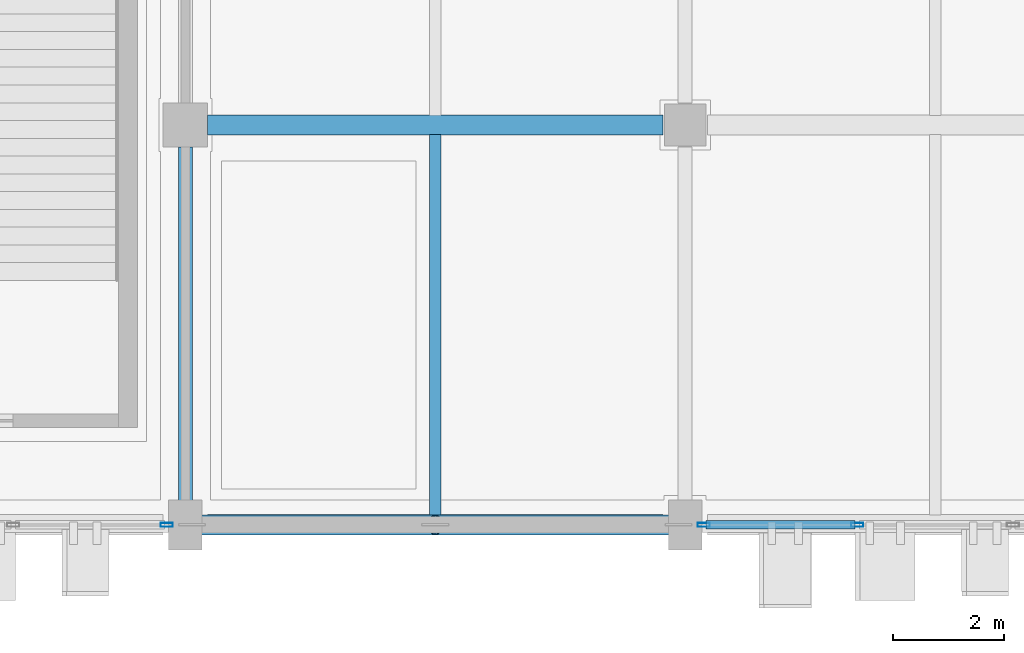
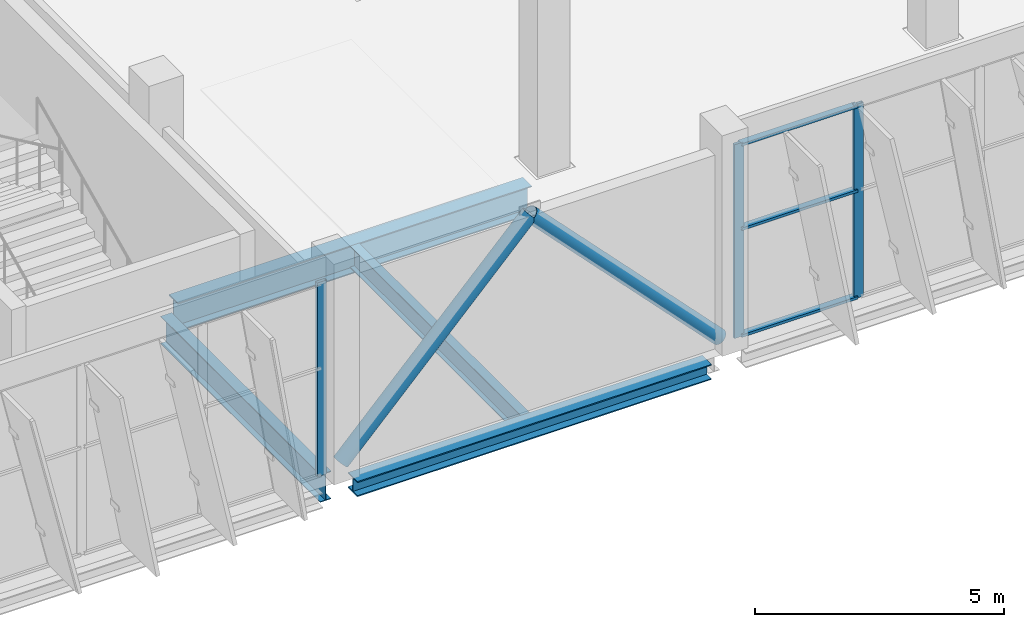
# One storey, part 33 of 137: 8 members, 4 beams, 2 elements without a shape of their own.
"""IFC4 building model written with IfcOpenShell, lengths in metres."""

from ifc_helpers import new_model, si_unit, direction, frame, origin, origin_2d, place, context, subcontext, project, spatial, hollow_rectangle, hollow_circle, i_section, extrude, material, layer, layer_set, material_profile, profile_set, type_object, element, aggregate, save


model = new_model("IFC4")

# Units and contexts
model_context = context("Model", 3, precision=1e-05, world=origin(), true_north=direction((0.0, 1.0)))
body_context = subcontext(model_context, "Body", "Model", "MODEL_VIEW")
ifc_project = project(units=[si_unit("LENGTHUNIT", "METRE"), si_unit("AREAUNIT", "SQUARE_METRE"), si_unit("VOLUMEUNIT", "CUBIC_METRE"), si_unit("PLANEANGLEUNIT", "RADIAN"), si_unit("MASSUNIT", "GRAM", prefix="KILO")], contexts=[model_context])

# Site, building, storey
site_placement = place(None, origin())
site = spatial("IfcSite", under=ifc_project, at=site_placement, CompositionType="ELEMENT")
building_placement = place(site_placement, origin())
building = spatial("IfcBuilding", under=site, at=building_placement, Name="Celestram Park Convention Centre", CompositionType="ELEMENT")
storey_placement = place(building_placement, origin())
storey = spatial("IfcBuildingStorey", under=building, at=storey_placement, Name="L00", CompositionType="ELEMENT", Elevation=0.0)

# Curtain wall, members
ifc_material_1 = material(Name="Anodised Aluminium Alloy 6063-T6", Category="aluminium")
ifc_layer = layer(ifc_material_1, 0.179931640625)
ifc_layer_set = layer_set([ifc_layer], Name="Anodised Aluminium Alloy 6063-T6")
curtain_wall_type = type_object("IfcCurtainWallType", Name="ARC-CW-840X475", PredefinedType="NOTDEFINED", material=ifc_layer_set)
curtain_wall_1_placement = place(storey_placement, origin())
curtain_wall_1 = element("IfcCurtainWall", 1, at=curtain_wall_1_placement, inside=storey, type_object=curtain_wall_type, Name="Unitised curtain wall CU-L00-030", PredefinedType="NOTDEFINED")
ifc_material_profile_1 = material_profile(ifc_material_1, hollow_rectangle(XDim=0.074951171875, YDim=0.219970703125, WallThickness=0.00390625, at=origin_2d()), Name="ALU75X220X4")
ifc_profile_set_1 = profile_set([ifc_material_profile_1], Name="Anodised Aluminium Alloy 6063-T6")
member_type_1 = type_object("IfcMemberType", Name="ARC-CWM-180", PredefinedType="MULLION", material=ifc_profile_set_1)
member_1_placement = place(storey_placement, frame((174.099365234375, 0.0, 0.0), z_axis=(0.0, 0.0, 1.0), x_axis=(0.0, -1.0, 0.0)))
member_1 = element("IfcMember", 2, at=member_1_placement, type_object=member_type_1, Name="CW-84X47 mullion 3", PredefinedType="MULLION", context=body_context, shape_type="SweptSolid", body=[
    extrude(hollow_rectangle(XDim=0.074951171875, YDim=0.219970703125, WallThickness=0.00390625, at=origin_2d()), origin(), (0.0, 0.0, 1.0), 4.7470703125),
])
member_2_placement = place(storey_placement, frame((171.33544921875, 0.0, 0.0), z_axis=(0.0, 0.0, 1.0), x_axis=(0.0, -1.0, 0.0)))
member_2 = element("IfcMember", 3, at=member_2_placement, type_object=member_type_1, Name="CW-84X47 mullion 4", PredefinedType="MULLION", context=body_context, shape_type="SweptSolid", body=[
    extrude(hollow_rectangle(XDim=0.074951171875, YDim=0.219970703125, WallThickness=0.00390625, at=origin_2d()), origin(), (0.0, 0.0, 1.0), 4.7470703125),
])

# Curtain wall, member
curtain_wall_2_placement = place(storey_placement, origin())
curtain_wall_2 = element("IfcCurtainWall", 4, at=curtain_wall_2_placement, inside=storey, type_object=curtain_wall_type, Name="Unitised curtain wall CU-L00-031", PredefinedType="NOTDEFINED")
member_3_placement = place(storey_placement, frame((161.66455078125, 0.0, 0.0), z_axis=(0.0, 0.0, 1.0), x_axis=(0.0, -1.0, 0.0)))
member_3 = element("IfcMember", 5, at=member_3_placement, type_object=member_type_1, Name="CW-84X47 mullion 1", PredefinedType="MULLION", context=body_context, shape_type="SweptSolid", body=[
    extrude(hollow_rectangle(XDim=0.074951171875, YDim=0.219970703125, WallThickness=0.00390625, at=origin_2d()), origin(), (0.0, 0.0, 1.0), 4.7470703125),
])
aggregate(curtain_wall_2, [member_3])

# Member
ifc_material_profile_2 = material_profile(ifc_material_1, hollow_rectangle(XDim=0.14990234375, YDim=0.06494140625, WallThickness=0.0029296875, at=origin_2d()), Name="ALU150X65X3")
ifc_profile_set_2 = profile_set([ifc_material_profile_2], Name="Anodised Aluminium Alloy 6063-T6")
member_type_2 = type_object("IfcMemberType", Name="ARC-CWT-150", PredefinedType="USERDEFINED", material=ifc_profile_set_2)
member_4_placement = place(storey_placement, frame((174.061767578125, 0.0, 0.032470703125), z_axis=(-1.0, 0.0, 0.0), x_axis=(0.0, -1.0, 0.0)))
member_4 = element("IfcMember", 6, at=member_4_placement, type_object=member_type_2, Name="CW-84X47 transom 3.1", ObjectType="TRANSOM", PredefinedType="USERDEFINED", context=body_context, shape_type="SweptSolid", body=[
    extrude(hollow_rectangle(XDim=0.14990234375, YDim=0.06494140625, WallThickness=0.0029296875, at=origin_2d()), origin(), (0.0, 0.0, 1.0), 2.688720703125),
])

member_5_placement = place(storey_placement, frame((174.061767578125, 0.0, 2.64990234375), z_axis=(-1.0, 0.0, 0.0), x_axis=(0.0, -1.0, 0.0)))
member_5 = element("IfcMember", 7, at=member_5_placement, type_object=member_type_2, Name="CW-84X47 transom 3.2", ObjectType="TRANSOM", PredefinedType="USERDEFINED", context=body_context, shape_type="SweptSolid", body=[
    extrude(hollow_rectangle(XDim=0.14990234375, YDim=0.06494140625, WallThickness=0.0029296875, at=origin_2d()), origin(), (0.0, 0.0, 1.0), 2.688720703125),
])

member_6_placement = place(storey_placement, frame((174.061767578125, 0.0, 4.714599609375), z_axis=(-1.0, 0.0, 0.0), x_axis=(0.0, -1.0, 0.0)))
member_6 = element("IfcMember", 8, at=member_6_placement, type_object=member_type_2, Name="CW-84X47 transom 3.3", ObjectType="TRANSOM", PredefinedType="USERDEFINED", context=body_context, shape_type="SweptSolid", body=[
    extrude(hollow_rectangle(XDim=0.14990234375, YDim=0.06494140625, WallThickness=0.0029296875, at=origin_2d()), origin(), (0.0, 0.0, 1.0), 2.688720703125),
])

aggregate(curtain_wall_1, [member_1, member_2, member_4, member_5, member_6])

# Beams
ifc_material_2 = material(Name="Steel ASTM A992 Grade 50", Category="steel")
ifc_material_profile_3 = material_profile(ifc_material_2, i_section(OverallWidth=0.35595703125, OverallDepth=0.696044921875, WebThickness=0.015380859375, FlangeThickness=0.02490234375, at=origin_2d()), Name="W27X146")
ifc_profile_set_3 = profile_set([ifc_material_profile_3], Name="Steel ASTM A992 Grade 50")
beam_type_1 = type_object("IfcBeamType", Name="STR-BM-W27X146", PredefinedType="BEAM", material=ifc_profile_set_3)
beam_1_placement = place(storey_placement, frame((162.39794921875, 7.199951171875, -0.66796875), z_axis=(1.0, 0.0, 0.0), x_axis=(0.0, 1.0, 0.0)))
element("IfcBeam", 9, at=beam_1_placement, inside=storey, type_object=beam_type_1, Name="Primary X-girder BG-L00-0719", PredefinedType="BEAM", context=body_context, shape_type="SweptSolid", body=[
    extrude(i_section(OverallWidth=0.35595703125, OverallDepth=0.696044921875, WebThickness=0.015380859375, FlangeThickness=0.02490234375, at=origin_2d()), origin(), (0.0, 0.0, 1.0), 8.2041015625),
])
ifc_material_profile_4 = material_profile(ifc_material_2, i_section(OverallWidth=0.25390625, OverallDepth=0.68310546875, WebThickness=0.012451171875, FlangeThickness=0.01904296875, at=origin_2d()), Name="W27X94")
ifc_profile_set_4 = profile_set([ifc_material_profile_4], Name="Steel ASTM A992 Grade 50")
beam_type_2 = type_object("IfcBeamType", Name="STR-BM-W27X94", PredefinedType="BEAM", material=ifc_profile_set_4)
beam_2_placement = place(storey_placement, frame((162.0, 0.39794921875, -0.66162109375), z_axis=(0.0, 1.0, 0.0), x_axis=(-1.0, 0.0, 0.0)))
element("IfcBeam", 10, at=beam_2_placement, inside=storey, type_object=beam_type_2, Name="Primary Y-girder BG-L00-0718", PredefinedType="BEAM", context=body_context, shape_type="SweptSolid", body=[
    extrude(i_section(OverallWidth=0.25390625, OverallDepth=0.68310546875, WebThickness=0.012451171875, FlangeThickness=0.01904296875, at=origin_2d()), origin(), (0.0, 0.0, 1.0), 6.404052734375),
])

# Members
ifc_material_3 = material(Name="Steel ASTM A500 Grade C", Category="steel")
ifc_material_profile_5 = material_profile(ifc_material_3, hollow_circle(Radius=0.177978515625, WallThickness=0.011962890625, at=origin_2d()), Name="CHS356X12")
ifc_profile_set_5 = profile_set([ifc_material_profile_5], Name="Steel ASTM A500 Grade C")
member_type_3 = type_object("IfcMemberType", Name="STR-BRC-CHS356", PredefinedType="BRACE", material=ifc_profile_set_5)
for number, where, z_axis, x_axis, name in (
    (11, (162.1201171875, 0.0, 0.14990234375), (0.693506471667, 0.0, 0.720450396458), (0.0, 1.0, 0.0), "Chevron braced-frame diagonal BF-L00-017"),
    (12, (170.8798828125, 0.0, 0.14990234375), (-0.693506471667, 0.0, 0.720450396458), (0.0, -1.0, 0.0), "Chevron braced-frame diagonal BF-L00-018"),
):
    element("IfcMember", number, at=place(storey_placement, frame(where, z_axis=z_axis, x_axis=x_axis)), inside=storey, type_object=member_type_3, Name=name, PredefinedType="BRACE", context=body_context, shape_type="SweptSolid", body=[
        extrude(hollow_circle(Radius=0.177978515625, WallThickness=0.011962890625, at=origin_2d()), origin(), (0.0, 0.0, 1.0), 6.315673828125),
    ])

# Beams
ifc_material_profile_6 = material_profile(ifc_material_2, i_section(OverallWidth=0.2099609375, OverallDepth=0.532958984375, WebThickness=0.01025390625, FlangeThickness=0.015625, at=origin_2d()), Name="W21X62")
ifc_profile_set_6 = profile_set([ifc_material_profile_6], Name="Steel ASTM A992 Grade 50")
beam_type_3 = type_object("IfcBeamType", Name="STR-JST-W21X62", PredefinedType="JOIST", material=ifc_profile_set_6)
beam_3_placement = place(storey_placement, frame((166.5, 0.181884765625, -0.58642578125), z_axis=(0.0, 1.0, 0.0), x_axis=(-1.0, 0.0, 0.0)))
element("IfcBeam", 13, at=beam_3_placement, inside=storey, type_object=beam_type_3, Name="Secondary composite joist BG-L00-1184", PredefinedType="JOIST", context=body_context, shape_type="SweptSolid", body=[
    extrude(i_section(OverallWidth=0.2099609375, OverallDepth=0.532958984375, WebThickness=0.01025390625, FlangeThickness=0.015625, at=origin_2d()), origin(), (0.0, 0.0, 1.0), 6.843994140625),
])
ifc_material_profile_7 = material_profile(ifc_material_2, i_section(OverallWidth=0.373046875, OverallDepth=0.373046875, WebThickness=0.016357421875, FlangeThickness=0.026123046875, at=origin_2d()), Name="W14X132")
ifc_profile_set_7 = profile_set([ifc_material_profile_7], Name="Steel ASTM A992 Grade 50")
beam_type_4 = type_object("IfcBeamType", Name="STR-SPN-W14X132", PredefinedType="SPANDREL", material=ifc_profile_set_7)
beam_4_placement = place(storey_placement, frame((162.39794921875, 0.0, -0.506591796875), z_axis=(1.0, 0.0, 0.0), x_axis=(0.0, 1.0, 0.0)))
element("IfcBeam", 14, at=beam_4_placement, inside=storey, type_object=beam_type_4, Name="Primary X-girder BG-L00-0717", PredefinedType="SPANDREL", context=body_context, shape_type="SweptSolid", body=[
    extrude(i_section(OverallWidth=0.373046875, OverallDepth=0.373046875, WebThickness=0.016357421875, FlangeThickness=0.026123046875, at=origin_2d()), origin(), (0.0, 0.0, 1.0), 8.2041015625),
])

save(model, "model.ifc")
